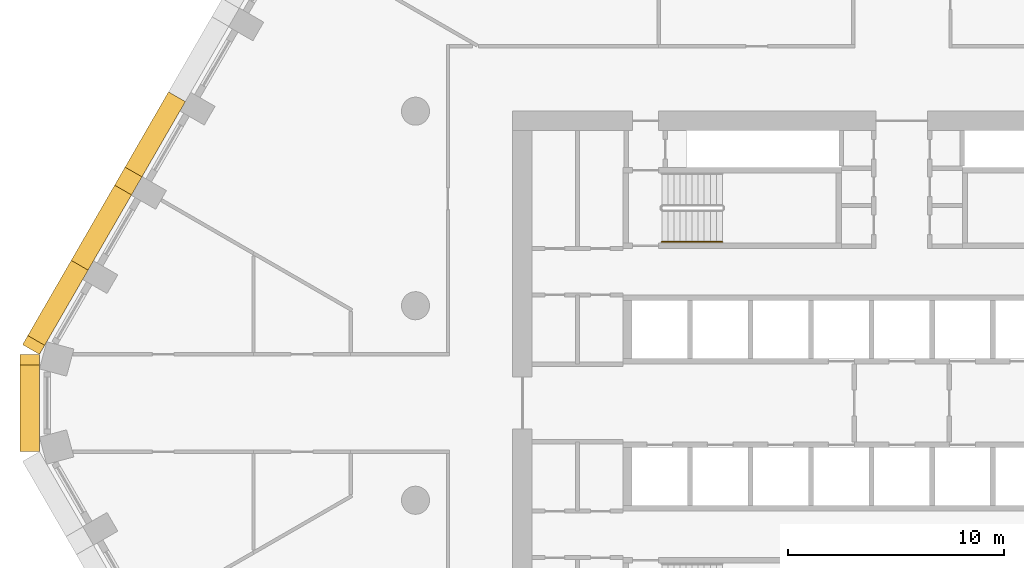
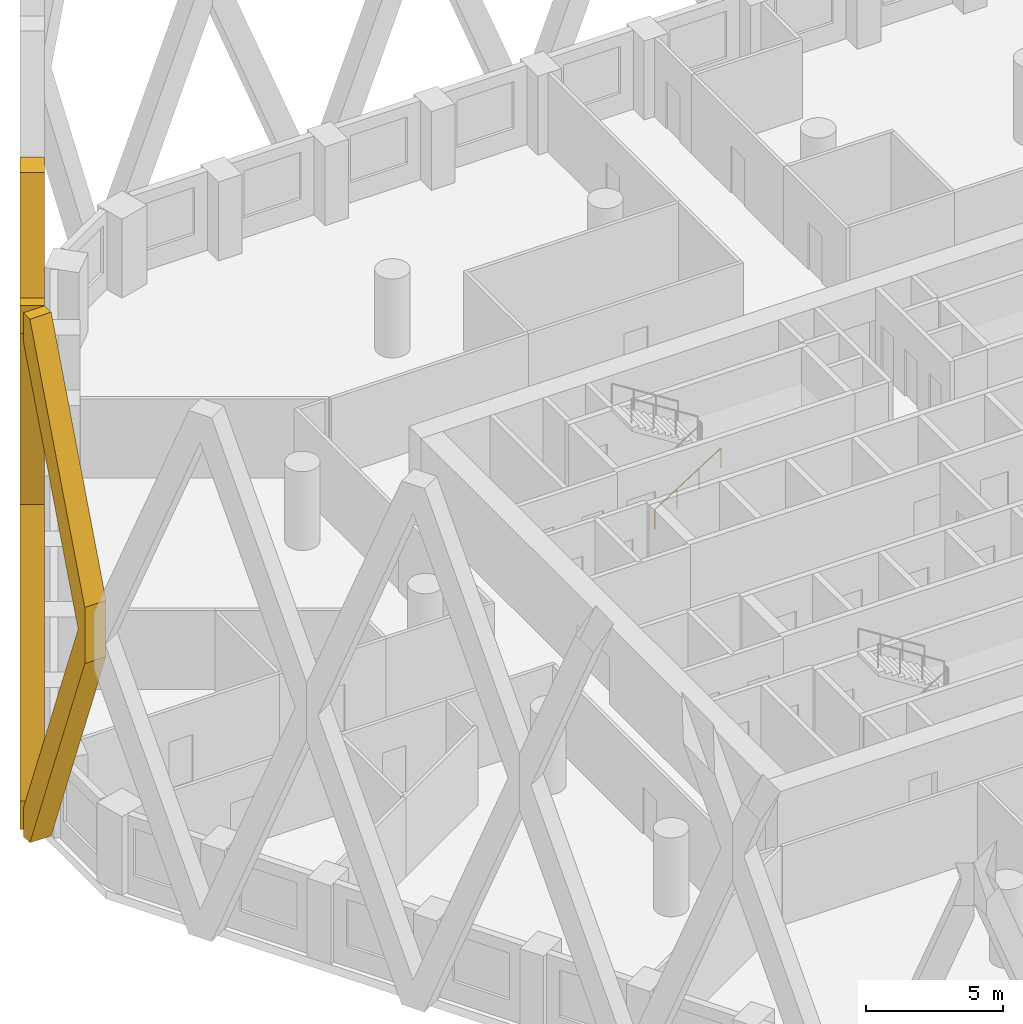
# One storey, part 14 of 18: 3 coverings, 1 railing.
"""IFC4 building model written with IfcOpenShell, lengths in metres."""

from ifc_helpers import new_model, si_unit, direction, frame, origin, origin_2d, place, context, subcontext, project, spatial, polyline, circle, outline, extrude, material, type_object, element, save


model = new_model("IFC4")

# Units and contexts
model_context = context("Model", 3, precision=1e-05, world=origin(), true_north=direction((0.0, 1.0)))
body_context = subcontext(model_context, "Body", "Model", "MODEL_VIEW")
ifc_project = project(units=[si_unit("LENGTHUNIT", "METRE"), si_unit("AREAUNIT", "SQUARE_METRE"), si_unit("VOLUMEUNIT", "CUBIC_METRE"), si_unit("PLANEANGLEUNIT", "RADIAN"), si_unit("MASSUNIT", "GRAM", prefix="KILO")], contexts=[model_context])

# Site, building, storey
site_placement = place(None, origin())
site = spatial("IfcSite", under=ifc_project, at=site_placement, CompositionType="ELEMENT")
building_placement = place(site_placement, origin())
building = spatial("IfcBuilding", under=site, at=building_placement, Name="Dhurran Vertical Campus", CompositionType="ELEMENT")
storey_placement = place(building_placement, frame((0.0, 0.0, 104.699951171875)))
storey = spatial("IfcBuildingStorey", under=building, at=storey_placement, Name="L25", CompositionType="ELEMENT", Elevation=104.699951171875)

# Coverings
ifc_material_1 = material(Name="Precast concrete C50/60", Category="concrete")
covering_type = type_object("IfcCoveringType", Name="Folded precast fin lattice diamond", PredefinedType="USERDEFINED", material=ifc_material_1)
covering_1_placement = place(storey_placement, frame((-33.147216796875, 13.94140625, 0.0), z_axis=(-0.866013897511, 0.50001992892, 0.0), x_axis=(-0.50001992892, -0.866013897511, 0.0)))
element("IfcCovering", 1, at=covering_1_placement, inside=storey, type_object=covering_type, Name="FN1 L25.025", ObjectType="FIN", PredefinedType="USERDEFINED", context=body_context, shape_type="SweptSolid", body=[
    extrude(outline(polyline([(9.0, 12.95361328125), (9.0, 10.4462890625), (4.982177734375, 0.0), (4.017822265625, 0.0), (0.0, 10.4462890625), (0.0, 12.95361328125), (4.017822265625, 23.39990234375), (4.982177734375, 23.39990234375), (9.0, 12.95361328125)]), holes=[polyline([(8.517822265625, 11.699951171875), (4.5, 22.146484375), (0.482177734375, 11.699951171875), (4.5, 1.253662109375), (8.517822265625, 11.699951171875)])]), origin(), (0.0, 0.0, 1.0), 0.89990234375),
])
covering_2_placement = place(storey_placement, frame((-37.647216796875, 6.147216796875, 0.0), z_axis=(-0.866013897511, 0.50001992892, 0.0), x_axis=(-0.50001992892, -0.866013897511, 0.0)))
element("IfcCovering", 2, at=covering_2_placement, inside=storey, type_object=covering_type, Name="FN1 L25.026", ObjectType="FIN", PredefinedType="USERDEFINED", context=body_context, shape_type="SweptSolid", body=[
    extrude(outline(polyline([(4.017822265625, 0.0), (0.0, 10.4462890625), (0.0, 12.95361328125), (4.017822265625, 23.39990234375), (4.5, 23.39990234375), (4.5, 22.146484375), (0.482177734375, 11.699951171875), (4.5, 1.253662109375), (4.5, 0.0), (4.017822265625, 0.0)])), origin(), (0.0, 0.0, 1.0), 0.89990234375),
])
covering_3_placement = place(storey_placement, frame((-39.897216796875, 2.25, 0.0), z_axis=(-1.0, 0.0, 0.0), x_axis=(0.0, -1.0, 0.0)))
element("IfcCovering", 3, at=covering_3_placement, inside=storey, type_object=covering_type, Name="FN1 L25.027", ObjectType="FIN", PredefinedType="USERDEFINED", context=body_context, shape_type="SweptSolid", body=[
    extrude(outline(polyline([(4.5, 10.4462890625), (0.482177734375, 0.0), (0.0, 0.0), (0.0, 1.253662109375), (4.017822265625, 11.699951171875), (0.0, 22.146484375), (0.0, 23.39990234375), (0.482177734375, 23.39990234375), (4.5, 12.95361328125), (4.5, 10.4462890625)])), origin(), (0.0, 0.0, 1.0), 0.89990234375),
])

# Railing
ifc_material_2 = material(Name="Stainless steel handrail", Category="steel")
railing_type = type_object("IfcRailingType", Name="co-RL-HANDRAIL-900", PredefinedType="HANDRAIL", material=ifc_material_2)
railing_placement = place(storey_placement, frame((-11.10009765625, 7.449951171875, 0.17724609375)))
element("IfcRailing", 4, at=railing_placement, inside=storey, type_object=railing_type, Name="L25 ST1 stair handrail 1", PredefinedType="HANDRAIL", context=body_context, shape_type="SweptSolid", body=[
    extrude(circle(Radius=0.02392578125, at=origin_2d()), frame((0.0, 0.0, 0.8759765625), z_axis=(0.844908973607, 0.0, 0.534910110503), x_axis=(0.0, 1.0, 0.0)), (0.0, 0.0, 1.0), 3.31396484375),
    extrude(circle(Radius=0.02099609375, at=origin_2d()), origin(), (0.0, 0.0, 1.0), 0.851806640625),
    extrude(circle(Radius=0.02099609375, at=origin_2d()), frame((0.933349609375, 0.0, 0.5908203125)), (0.0, 0.0, 1.0), 0.851806640625),
    extrude(circle(Radius=0.02099609375, at=origin_2d()), frame((1.86669921875, 0.0, 1.181884765625)), (0.0, 0.0, 1.0), 0.851806640625),
    extrude(circle(Radius=0.02099609375, at=origin_2d()), frame((2.800048828125, 0.0, 1.772705078125)), (0.0, 0.0, 1.0), 0.851806640625),
])

save(model, "model.ifc")
